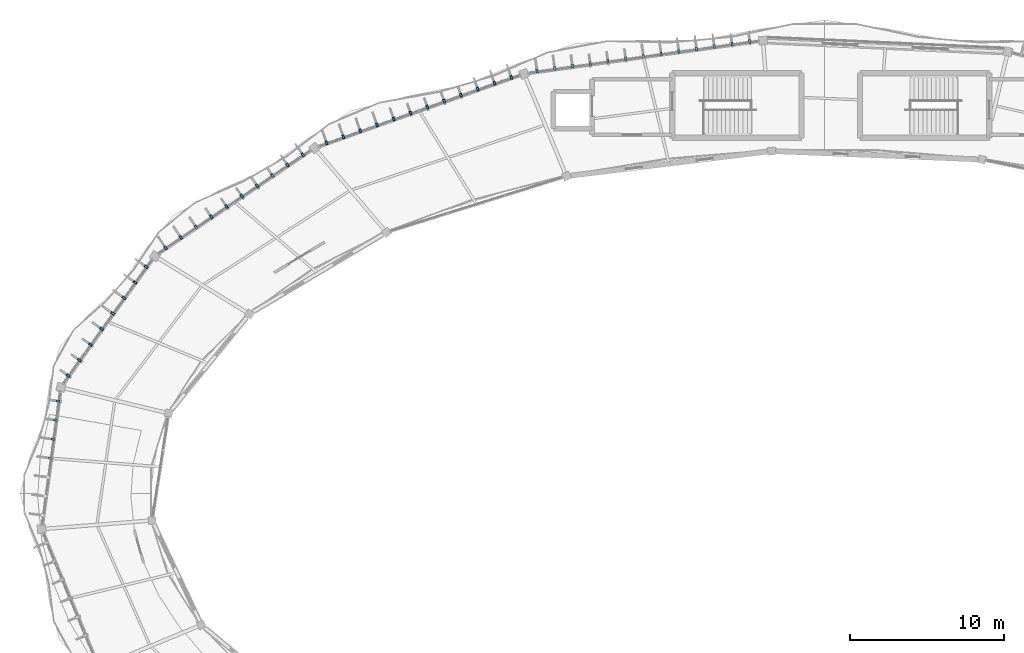
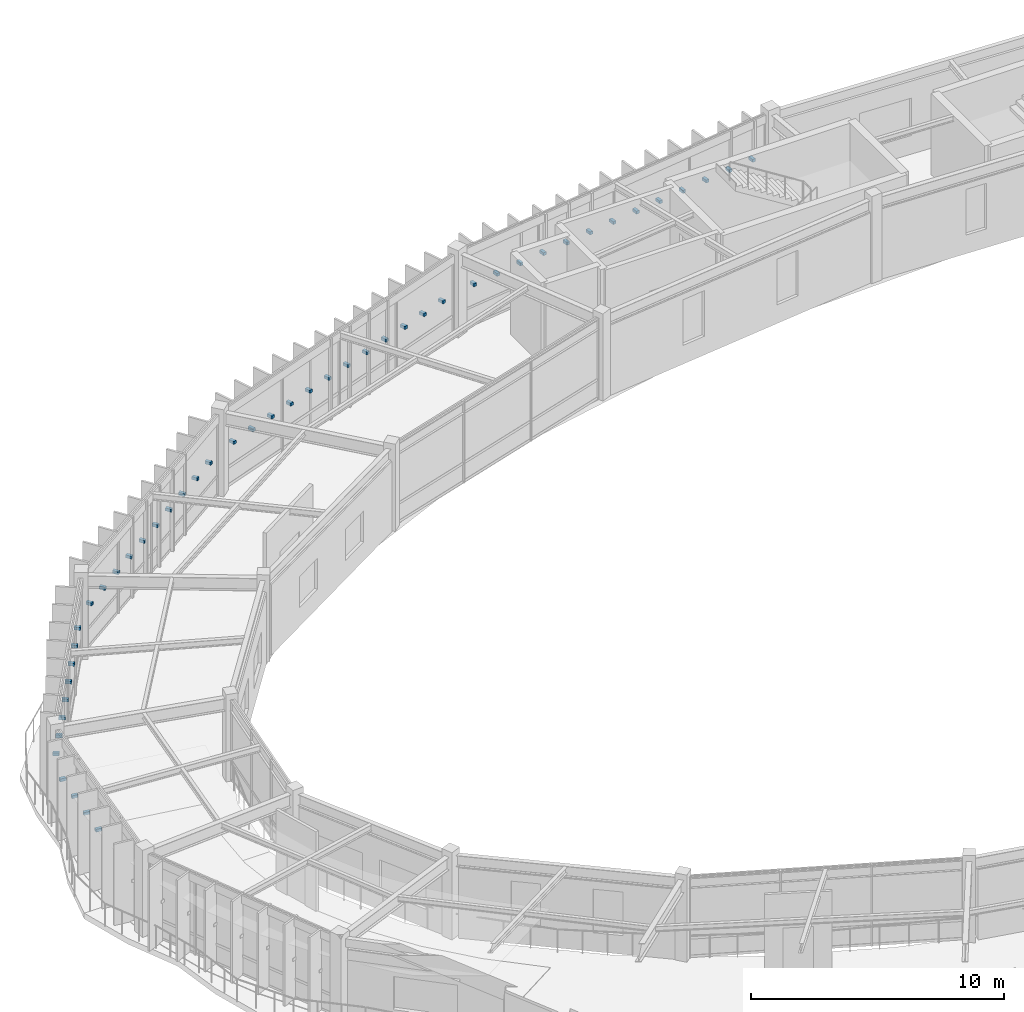
# One storey, part 73 of 79: 47 discrete accessories.
"""IFC4 building model written with IfcOpenShell, lengths in metres."""

from ifc_helpers import new_model, si_unit, direction, frame, origin, origin_2d, place, context, subcontext, project, spatial, rectangle, extrude, material, type_object, element, save


model = new_model("IFC4")

# Units and contexts
model_context = context("Model", 3, precision=1e-05, world=origin(), true_north=direction((0.0, 1.0)))
body_context = subcontext(model_context, "Body", "Model", "MODEL_VIEW")
ifc_project = project(units=[si_unit("LENGTHUNIT", "METRE"), si_unit("AREAUNIT", "SQUARE_METRE"), si_unit("VOLUMEUNIT", "CUBIC_METRE"), si_unit("PLANEANGLEUNIT", "RADIAN"), si_unit("MASSUNIT", "GRAM", prefix="KILO"), si_unit("THERMODYNAMICTEMPERATUREUNIT", "KELVIN"), si_unit("POWERUNIT", "WATT")], contexts=[model_context])

# Site, building, storey
site_placement = place(None, origin())
site = spatial("IfcSite", under=ifc_project, at=site_placement, CompositionType="ELEMENT")
building_placement = place(site_placement, origin())
building = spatial("IfcBuilding", under=site, at=building_placement, Name="Darbajah Civic Hall", CompositionType="ELEMENT")
storey_placement = place(building_placement, frame((0.0, 0.0, 22.199951171875)))
storey = spatial("IfcBuildingStorey", under=building, at=storey_placement, Name="L05", CompositionType="ELEMENT", Elevation=22.199951171875)

# Discrete accessories
ifc_material = material(Name="Stainless Steel S355JR", Category="steel")
discrete_accessory_type = type_object("IfcDiscreteAccessoryType", Name="Stainless Facade Support Bracket", PredefinedType="BRACKET", material=ifc_material)
for number, where, z_axis, x_axis, name in (
    (1, (84.240234375, 119.150390625, 1.89013671875), (0.0, 0.0, 1.0), (-0.137617420457, 0.990485459553, 0.0), "L05 shading fin bracket 05-1"),
    (2, (83.089111328125, 118.990478515625, 1.89013671875), (0.0, 0.0, 1.0), (-0.137617420457, 0.990485459553, 0.0), "L05 shading fin bracket 05-2"),
    (3, (81.937744140625, 118.830810546875, 1.89013671875), (0.0, 0.0, 1.0), (-0.137617420457, 0.990485459553, 0.0), "L05 shading fin bracket 05-3"),
    (4, (80.78662109375, 118.6708984375, 1.89013671875), (0.0, 0.0, 1.0), (-0.137617420457, 0.990485459553, 0.0), "L05 shading fin bracket 05-4"),
    (5, (79.63525390625, 118.510986328125, 1.89013671875), (0.0, 0.0, 1.0), (-0.137617420457, 0.990485459553, 0.0), "L05 shading fin bracket 05-5"),
    (6, (78.48388671875, 118.35107421875, 1.89013671875), (0.0, 0.0, 1.0), (-0.137617420457, 0.990485459553, 0.0), "L05 shading fin bracket 05-6"),
    (7, (77.33251953125, 118.191162109375, 1.89013671875), (0.0, 0.0, 1.0), (-0.137617420457, 0.990485459553, 0.0), "L05 shading fin bracket 05-7"),
    (8, (76.181396484375, 118.03125, 1.89013671875), (0.0, 0.0, 1.0), (-0.137617420457, 0.990485459553, 0.0), "L05 shading fin bracket 05-8"),
    (9, (75.030029296875, 117.871337890625, 1.89013671875), (0.0, 0.0, 1.0), (-0.137617420457, 0.990485459553, 0.0), "L05 shading fin bracket 05-9"),
    (10, (73.878662109375, 117.71142578125, 1.89013671875), (0.0, 0.0, 1.0), (-0.137617420457, 0.990485459553, 0.0), "L05 shading fin bracket 05-10"),
    (11, (72.7275390625, 117.551513671875, 1.89013671875), (0.0, 0.0, 1.0), (-0.137617420457, 0.990485459553, 0.0), "L05 shading fin bracket 05-11"),
    (12, (71.576171875, 117.391845703125, 1.89013671875), (0.0, 0.0, 1.0), (-0.137617420457, 0.990485459553, 0.0), "L05 shading fin bracket 05-12"),
    (13, (70.4248046875, 117.23193359375, 1.89013671875), (0.0, 0.0, 1.0), (-0.137617420457, 0.990485459553, 0.0), "L05 shading fin bracket 05-13"),
    (14, (68.7568359375, 116.8251953125, 1.89013671875), (0.0, 0.0, 1.0), (-0.334135882844, 0.94252491309, 0.0), "L05 shading fin bracket 06-1"),
    (15, (67.66650390625, 116.438720703125, 1.89013671875), (0.0, 0.0, 1.0), (-0.334135882844, 0.94252491309, 0.0), "L05 shading fin bracket 06-2"),
    (16, (66.576416015625, 116.05224609375, 1.89013671875), (0.0, 0.0, 1.0), (-0.334135882844, 0.94252491309, 0.0), "L05 shading fin bracket 06-3"),
    (17, (65.486083984375, 115.666015625, 1.89013671875), (0.0, 0.0, 1.0), (-0.334135882844, 0.94252491309, 0.0), "L05 shading fin bracket 06-4"),
    (18, (64.39599609375, 115.279296875, 1.89013671875), (0.0, 0.0, 1.0), (-0.334135882844, 0.94252491309, 0.0), "L05 shading fin bracket 06-5"),
    (19, (63.3056640625, 114.89306640625, 1.89013671875), (0.0, 0.0, 1.0), (-0.334135882844, 0.94252491309, 0.0), "L05 shading fin bracket 06-6"),
    (20, (62.21533203125, 114.506591796875, 1.89013671875), (0.0, 0.0, 1.0), (-0.334135882844, 0.94252491309, 0.0), "L05 shading fin bracket 06-7"),
    (21, (61.125244140625, 114.1201171875, 1.89013671875), (0.0, 0.0, 1.0), (-0.334135882844, 0.94252491309, 0.0), "L05 shading fin bracket 06-8"),
    (22, (60.034912109375, 113.733642578125, 1.89013671875), (0.0, 0.0, 1.0), (-0.334135882844, 0.94252491309, 0.0), "L05 shading fin bracket 06-9"),
    (23, (58.944580078125, 113.34716796875, 1.89013671875), (0.0, 0.0, 1.0), (-0.334135882844, 0.94252491309, 0.0), "L05 shading fin bracket 06-10"),
    (24, (57.8544921875, 112.960693359375, 1.89013671875), (0.0, 0.0, 1.0), (-0.334135882844, 0.94252491309, 0.0), "L05 shading fin bracket 06-11"),
    (25, (56.764404296875, 112.57421875, 1.89013671875), (0.0, 0.0, 1.0), (-0.334135882844, 0.94252491309, 0.0), "L05 shading fin bracket 06-12"),
    (26, (55.219970703125, 111.791015625, 1.89013671875), (0.0, 0.0, 1.0), (-0.560783509816, 0.827962472047, 0.0), "L05 shading fin bracket 07-1"),
    (27, (54.2294921875, 111.1201171875, 1.89013671875), (0.0, 0.0, 1.0), (-0.560783509816, 0.827962472047, 0.0), "L05 shading fin bracket 07-2"),
    (28, (53.239013671875, 110.449462890625, 1.89013671875), (0.0, 0.0, 1.0), (-0.560783509816, 0.827962472047, 0.0), "L05 shading fin bracket 07-3"),
    (29, (52.248779296875, 109.77880859375, 1.89013671875), (0.0, 0.0, 1.0), (-0.560783509816, 0.827962472047, 0.0), "L05 shading fin bracket 07-4"),
    (30, (51.25830078125, 109.10791015625, 1.89013671875), (0.0, 0.0, 1.0), (-0.560783509816, 0.827962472047, 0.0), "L05 shading fin bracket 07-5"),
    (31, (50.267822265625, 108.43701171875, 1.89013671875), (0.0, 0.0, 1.0), (-0.560783509816, 0.827962472047, 0.0), "L05 shading fin bracket 07-6"),
    (32, (49.277587890625, 107.766357421875, 1.89013671875), (0.0, 0.0, 1.0), (-0.560783509816, 0.827962472047, 0.0), "L05 shading fin bracket 07-7"),
    (33, (48.287109375, 107.095703125, 1.89013671875), (0.0, 0.0, 1.0), (-0.560783509816, 0.827962472047, 0.0), "L05 shading fin bracket 07-8"),
    (34, (47.296630859375, 106.4248046875, 1.89013671875), (0.0, 0.0, 1.0), (-0.560783509816, 0.827962472047, 0.0), "L05 shading fin bracket 07-9"),
    (35, (46.306396484375, 105.754150390625, 1.89013671875), (0.0, 0.0, 1.0), (-0.560783509816, 0.827962472047, 0.0), "L05 shading fin bracket 07-10"),
    (36, (45.043701171875, 104.5185546875, 1.89013671875), (0.0, 0.0, 1.0), (-0.812999149039, 0.582264874145, 0.0), "L05 shading fin bracket 08-1"),
    (37, (44.32080078125, 103.509033203125, 1.89013671875), (0.0, 0.0, 1.0), (-0.812999149039, 0.582264874145, 0.0), "L05 shading fin bracket 08-2"),
    (38, (43.597900390625, 102.49951171875, 1.89013671875), (0.0, 0.0, 1.0), (-0.812999149039, 0.582264874145, 0.0), "L05 shading fin bracket 08-3"),
    (39, (42.875, 101.489990234375, 1.89013671875), (0.0, 0.0, 1.0), (-0.812999149039, 0.582264874145, 0.0), "L05 shading fin bracket 08-4"),
    (40, (42.152099609375, 100.480224609375, 1.89013671875), (0.0, 0.0, 1.0), (-0.812999149039, 0.582264874145, 0.0), "L05 shading fin bracket 08-5"),
    (41, (41.428955078125, 99.470703125, 1.89013671875), (0.0, 0.0, 1.0), (-0.812999149039, 0.582264874145, 0.0), "L05 shading fin bracket 08-6"),
    (42, (40.7060546875, 98.461181640625, 1.89013671875), (0.0, 0.0, 1.0), (-0.812999149039, 0.582264874145, 0.0), "L05 shading fin bracket 08-7"),
    (43, (39.983154296875, 97.451416015625, 1.89013671875), (0.0, 0.0, 1.0), (-0.812999149039, 0.582264874145, 0.0), "L05 shading fin bracket 08-8"),
    (44, (39.328369140625, 95.80224609375, 1.89013671875), (0.0, 0.0, 1.0), (-0.990865897387, 0.134850930274, 0.0), "L05 shading fin bracket 09-1"),
    (45, (39.16015625, 94.566162109375, 1.89013671875), (0.0, 0.0, 1.0), (-0.990865897387, 0.134850930274, 0.0), "L05 shading fin bracket 09-2"),
    (46, (38.991943359375, 93.330078125, 1.89013671875), (0.0, 0.0, 1.0), (-0.990865897387, 0.134850930274, 0.0), "L05 shading fin bracket 09-3"),
    (47, (38.82373046875, 92.093994140625, 1.89013671875), (0.0, 0.0, 1.0), (-0.990865897387, 0.134850930274, 0.0), "L05 shading fin bracket 09-4"),
):
    element("IfcDiscreteAccessory", number, at=place(storey_placement, frame(where, z_axis=z_axis, x_axis=x_axis)), inside=storey, type_object=discrete_accessory_type, Name=name, PredefinedType="BRACKET", context=body_context, shape_type="SweptSolid", body=[
        extrude(rectangle(XDim=0.260009765625, YDim=0.139892578125, at=origin_2d()), origin(), (0.0, 0.0, 1.0), 0.139892578125),
    ])

save(model, "model.ifc")
